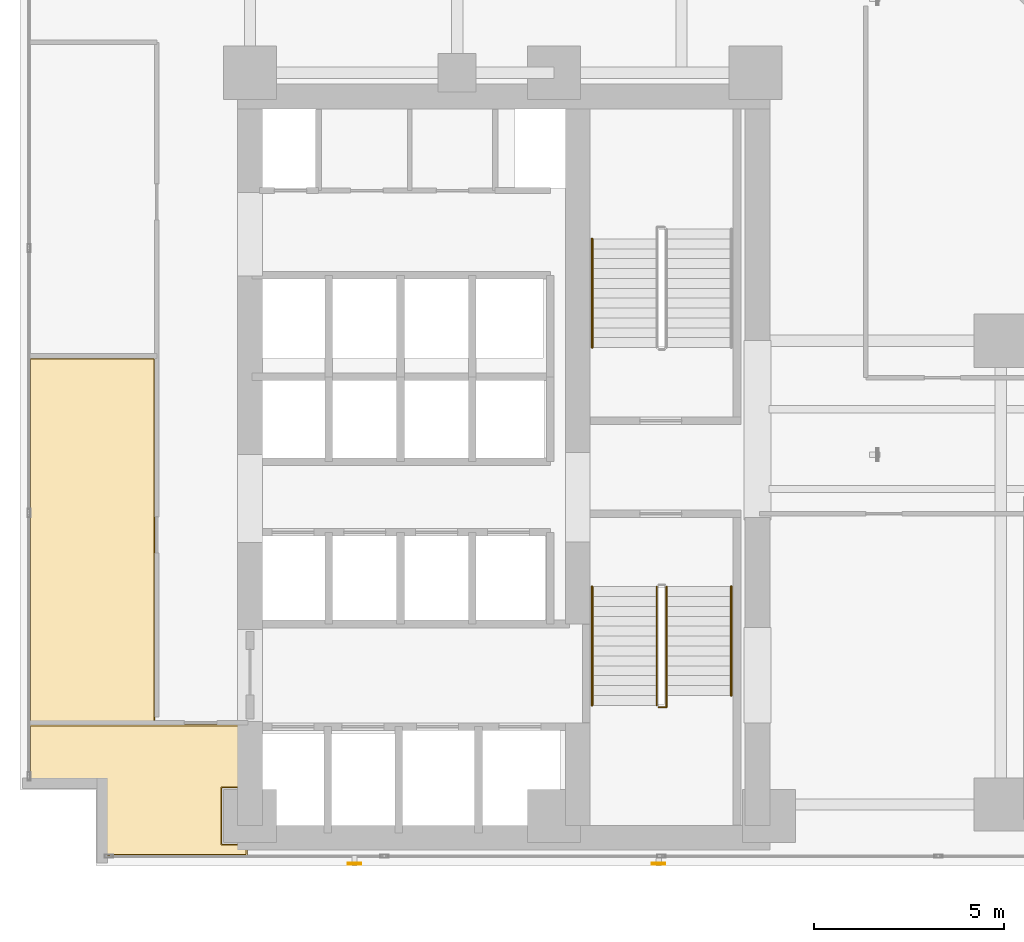
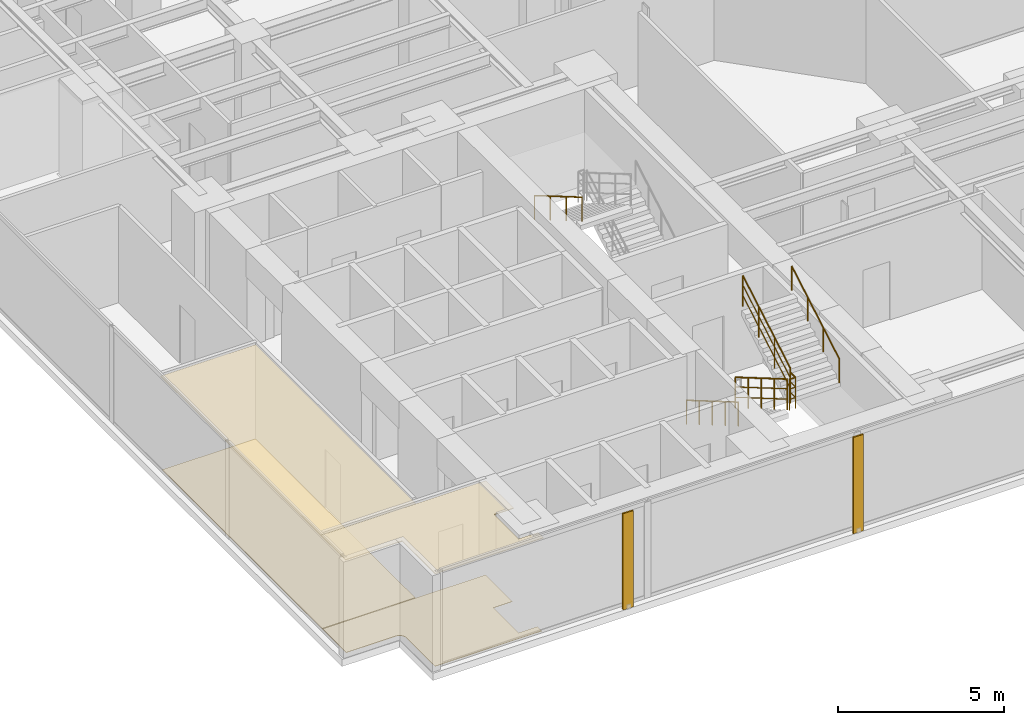
# One storey, part 24 of 28: 6 railings, 4 coverings, 2 shading devices.
"""IFC4 building model written with IfcOpenShell, lengths in metres."""

import ifcopenshell
import ifcopenshell.guid

model = None  # the IFC model being written
_history = None  # IfcOwnerHistory: only IFC2X3 demands one
_inside = {}  # id of a spatial element -> (the spatial element, [elements in it])
_under = {}  # id of a project, library or spatial element -> (it, [spatial elements below it])
_declared = {}  # id of a project -> (the project, [libraries it declares])
_typed = {}  # id of a type object -> (the type object, [elements of that type])
_made_of = {}  # id of a material, layer set ... -> (it, [elements and type objects made of it])


def new_model(schema):
    """Start an empty IFC model of exactly this schema.

    Asked for "IFC4X3", IfcOpenShell would pick the latest addendum, in which some entities
    have other attributes; the version numbers below select the first issue.
    IFC2X3 requires an IfcOwnerHistory on every rooted entity: one is made here for all.
    """
    global model, _history
    if schema == "IFC4X3":
        model = ifcopenshell.file(schema_version=(4, 3, 0, 0))
    else:
        model = ifcopenshell.file(schema=schema)
    _inside.clear()
    _under.clear()
    _declared.clear()
    _typed.clear()
    _made_of.clear()
    _history = None
    if model.schema == "IFC2X3":
        org = make("IfcOrganization", Name="unknown")
        user = make(
            "IfcPersonAndOrganization",
            ThePerson=make("IfcPerson", FamilyName="unknown"),
            TheOrganization=org,
        )
        app = make(
            "IfcApplication",
            ApplicationDeveloper=org,
            Version="unknown",
            ApplicationFullName="unknown",
            ApplicationIdentifier="unknown",
        )
        _history = make(
            "IfcOwnerHistory",
            OwningUser=user,
            OwningApplication=app,
            ChangeAction="ADDED",
            CreationDate=0,
        )
    return model


def make(cls, **values):
    """One entity of the class cls with the attributes given. An attribute that is None is left unset."""
    return model.create_entity(
        cls, **{name: value for name, value in values.items() if value is not None}
    )


def rooted(cls, **values):
    """An entity with a GlobalId (a new one), such as an element, a storey or a relation."""
    return make(cls, GlobalId=ifcopenshell.guid.new(), OwnerHistory=_history, **values)


def si_unit(unit_type, name, prefix=None):
    """IfcSIUnit, for example si_unit("LENGTHUNIT", "METRE", prefix="MILLI")."""
    return make("IfcSIUnit", UnitType=unit_type, Prefix=prefix, Name=name)


def assignment(units):
    """IfcUnitAssignment: the units of a project."""
    return None if units is None else make("IfcUnitAssignment", Units=units)


def point(xyz):
    """IfcCartesianPoint."""
    return None if xyz is None else make("IfcCartesianPoint", Coordinates=xyz)


def direction(xyz):
    """IfcDirection."""
    return None if xyz is None else make("IfcDirection", DirectionRatios=xyz)


def frame(location, z_axis=None, x_axis=None):
    """IfcAxis2Placement3D, a coordinate frame: its origin and axes. An axis left out is left unset."""
    return make(
        "IfcAxis2Placement3D",
        Location=point(location),
        Axis=direction(z_axis),
        RefDirection=direction(x_axis),
    )


def frame_2d(location, x_axis=None):
    """IfcAxis2Placement2D, a coordinate frame in the plane: its origin and x axis."""
    return make(
        "IfcAxis2Placement2D", Location=point(location), RefDirection=direction(x_axis)
    )


def origin():
    """The frame at (0, 0, 0) with its axes left unset."""
    return frame((0.0, 0.0, 0.0))


def origin_2d():
    """The frame at (0, 0) in the plane with its x axis left unset."""
    return frame_2d((0.0, 0.0))


def place(relative_to, where):
    """IfcLocalPlacement: puts the frame where relative to a parent placement (None: the world)."""
    return make(
        "IfcLocalPlacement", PlacementRelTo=relative_to, RelativePlacement=where
    )


def context(
    kind, dimensions, precision=None, world=None, true_north=None, identifier=None
):
    """IfcGeometricRepresentationContext, for example the 3D "Model" context."""
    return make(
        "IfcGeometricRepresentationContext",
        ContextIdentifier=identifier,
        ContextType=kind,
        CoordinateSpaceDimension=dimensions,
        Precision=precision,
        WorldCoordinateSystem=world,
        TrueNorth=true_north,
    )


def subcontext(parent, identifier, kind, view, scale=None):
    """IfcGeometricRepresentationSubContext, for example "Body" below "Model"."""
    return make(
        "IfcGeometricRepresentationSubContext",
        ContextIdentifier=identifier,
        ContextType=kind,
        ParentContext=parent,
        TargetScale=scale,
        TargetView=view,
    )


def project(units=None, contexts=None):
    """IfcProject with its units and contexts."""
    return rooted(
        "IfcProject",
        Name="project",
        RepresentationContexts=contexts,
        UnitsInContext=assignment(units),
    )


def spatial(cls, under=None, at=None, **own):
    """A site, building, storey or space (cls), placed at a placement, below another one or the project."""
    s = rooted(cls, ObjectPlacement=at, **own)
    if under is not None:
        _under.setdefault(under.id(), (under, []))[1].append(s)
    return s


def polyline(points):
    """IfcPolyline through the points."""
    return make("IfcPolyline", Points=[point(p) for p in points])


def profile(cls, at=None, kind="AREA", **sizes):
    """A parametric profile (cls). Its sizes go by their IFC names, for example OverallWidth=200.0."""
    return make(cls, ProfileType=kind, Position=at, **sizes)


def hollow_rectangle(**sizes):
    """IfcRectangleHollowProfileDef."""
    return profile("IfcRectangleHollowProfileDef", **sizes)


def circle(**sizes):
    """IfcCircleProfileDef."""
    return profile("IfcCircleProfileDef", **sizes)


def outline(outer, holes=None, kind="AREA"):
    """IfcArbitraryClosedProfileDef: a profile drawn as a closed curve; with holes, ...WithVoids."""
    if holes is None:
        return make("IfcArbitraryClosedProfileDef", ProfileType=kind, OuterCurve=outer)
    return make(
        "IfcArbitraryProfileDefWithVoids",
        ProfileType=kind,
        OuterCurve=outer,
        InnerCurves=holes,
    )


def extrude(swept, where, along, depth):
    """IfcExtrudedAreaSolid: the profile swept, set in the frame where, extruded along a direction by depth."""
    return make(
        "IfcExtrudedAreaSolid",
        SweptArea=swept,
        Position=where,
        ExtrudedDirection=direction(along),
        Depth=depth,
    )


def shape(context_of_items, identifier, shape_type, items):
    """IfcShapeRepresentation: the items that make up one representation, for example the "Body"."""
    return make(
        "IfcShapeRepresentation",
        ContextOfItems=context_of_items,
        RepresentationIdentifier=identifier,
        RepresentationType=shape_type,
        Items=items,
    )


def material(Name=None, Category=None):
    """IfcMaterial."""
    return make("IfcMaterial", Name=Name, Category=Category)


def layer(
    of_material, thickness, ventilated=None, Name=None, Category=None, Priority=None
):
    """IfcMaterialLayer: one layer of a wall or slab, of a material (None: an air gap)."""
    return make(
        "IfcMaterialLayer",
        Material=of_material,
        LayerThickness=thickness,
        IsVentilated=ventilated,
        Name=Name,
        Category=Category,
        Priority=Priority,
    )


def layer_set(layers, Name=None):
    """IfcMaterialLayerSet."""
    return make("IfcMaterialLayerSet", MaterialLayers=layers, LayerSetName=Name)


def material_profile(
    of_material, cross_section, Name=None, Category=None, Priority=None
):
    """IfcMaterialProfile: a cross section and its material."""
    return make(
        "IfcMaterialProfile",
        Name=Name,
        Material=of_material,
        Profile=cross_section,
        Priority=Priority,
        Category=Category,
    )


def profile_set(profiles, Name=None, composite=None):
    """IfcMaterialProfileSet."""
    return make(
        "IfcMaterialProfileSet",
        Name=Name,
        MaterialProfiles=profiles,
        CompositeProfile=composite,
    )


def made_of(thing, what):
    """Note that an element or type object is made of a material, layer set ...; save() writes the relation."""
    if what is not None:
        _made_of.setdefault(what.id(), (what, []))[1].append(thing)
    return thing


def type_object(cls, material=None, **own):
    """A type object (cls), such as IfcWallType, which elements share."""
    return made_of(rooted(cls, **own), material)


def element(
    cls,
    number,
    at=None,
    inside=None,
    cuts=None,
    type_object=None,
    material=None,
    context=None,
    identifier="Body",
    shape_type=None,
    held_by="IfcProductDefinitionShape",
    body=None,
    shapes=None,
    **own,
):
    """One element of the class cls, such as IfcWall. Its Tag is "e" and its number.

    at: its placement. inside: the storey or other place that contains it. cuts: it is an
    opening in that element (IfcRelVoidsElement). A single representation is given by context,
    identifier, shape_type and body (its items); several are given by shapes. held_by: the class
    of the entity that holds the representations. save() writes the other relations.
    """
    e = rooted(cls, Tag="e%d" % number, ObjectPlacement=at, **own)
    if body is not None:
        shapes = [shape(context, identifier, shape_type, body)]
    if shapes is not None:
        e.Representation = make(held_by, Representations=shapes)
    if inside is not None:
        _inside.setdefault(inside.id(), (inside, []))[1].append(e)
    if cuts is not None:
        rooted(
            "IfcRelVoidsElement", RelatingBuildingElement=cuts, RelatedOpeningElement=e
        )
    if type_object is not None:
        _typed.setdefault(type_object.id(), (type_object, []))[1].append(e)
    return made_of(e, material)


def aggregate(whole, parts):
    """IfcRelAggregates: a whole, such as a stair, and the parts it consists of."""
    return rooted("IfcRelAggregates", RelatingObject=whole, RelatedObjects=parts)


def save(model, path):
    """Write the relations noted so far, then the file.

    IfcRelAggregates (storeys below a building ...), IfcRelContainedInSpatialStructure (elements
    in a storey), IfcRelDefinesByType, IfcRelAssociatesMaterial and IfcRelDeclares: one each for
    every whole, place, type object, material and project.
    """
    for whole, parts in _under.values():
        aggregate(whole, parts)
    for where, things in _inside.values():
        rooted(
            "IfcRelContainedInSpatialStructure",
            RelatedElements=things,
            RelatingStructure=where,
        )
    for kind, things in _typed.values():
        rooted("IfcRelDefinesByType", RelatedObjects=things, RelatingType=kind)
    for what, things in _made_of.values():
        rooted("IfcRelAssociatesMaterial", RelatedObjects=things, RelatingMaterial=what)
    for by, libraries in _declared.values():
        rooted("IfcRelDeclares", RelatingContext=by, RelatedDefinitions=libraries)
    model.write(path)


model = new_model("IFC4")

# Units and contexts
model_context = context("Model", 3, precision=1e-05, world=origin(), true_north=direction((0.0, 1.0)))
body_context = subcontext(model_context, "Body", "Model", "MODEL_VIEW")
ifc_project = project(units=[si_unit("LENGTHUNIT", "METRE"), si_unit("AREAUNIT", "SQUARE_METRE"), si_unit("VOLUMEUNIT", "CUBIC_METRE"), si_unit("PLANEANGLEUNIT", "RADIAN"), si_unit("MASSUNIT", "GRAM", prefix="KILO")], contexts=[model_context])

# Site, building, storey
site_placement = place(None, origin())
site = spatial("IfcSite", under=ifc_project, at=site_placement, CompositionType="ELEMENT")
building_placement = place(site_placement, origin())
building = spatial("IfcBuilding", under=site, at=building_placement, Name="Kolvaren Waterfront Exchange", CompositionType="ELEMENT")
storey_placement = place(building_placement, frame((0.0, 0.0, 103.10009765625)))
storey = spatial("IfcBuildingStorey", under=building, at=storey_placement, Name="L26", CompositionType="ELEMENT", Elevation=103.10009765625)

# Coverings
ifc_material_1 = material(Name="Mineral fibre acoustic ceiling tile")
ifc_layer_1 = layer(ifc_material_1, 0.02490234375, Name="Mineral fibre acoustic ceiling tile")
ifc_layer_set_1 = layer_set([ifc_layer_1], Name="Mineral fibre acoustic ceiling tile")
covering_type_1 = type_object("IfcCoveringType", Name="ARC-CEIL-ACOUSTIC-25", PredefinedType="CEILING", material=ifc_layer_set_1)
covering_1_placement = place(storey_placement, frame((0.0, 0.0, 3.4248046875)))
element("IfcCovering", 1, at=covering_1_placement, inside=storey, type_object=covering_type_1, Name="L26 acoustic suspended ceiling 2", PredefinedType="CEILING", context=body_context, shape_type="SweptSolid", body=[
    extrude(outline(polyline([(7.385009765625, 4.159912109375), (6.7099609375, 4.159912109375), (6.7099609375, 5.639892578125), (7.385009765625, 5.639892578125), (7.385009765625, 7.304931640625), (1.64501953125, 7.304931640625), (1.64501953125, 5.820068359375), (3.6201171875, 5.820068359375), (3.6201171875, 3.844970703125), (7.385009765625, 3.844970703125), (7.385009765625, 4.159912109375)])), origin(), (0.0, 0.0, 1.0), 0.025146484375),
])
covering_2_placement = place(storey_placement, frame((0.0, 0.0, 3.4248046875)))
element("IfcCovering", 2, at=covering_2_placement, inside=storey, type_object=covering_type_1, Name="L26 acoustic suspended ceiling 3", PredefinedType="CEILING", context=body_context, shape_type="SweptSolid", body=[
    extrude(outline(polyline([(1.64501953125, 7.2548828125), (4.955078125, 7.2548828125), (4.955078125, 16.955078125), (1.64501953125, 16.955078125), (1.64501953125, 7.2548828125)])), origin(), (0.0, 0.0, 1.0), 0.025146484375),
])

# Shading devices
ifc_material_2 = material(Name="Anodised bronze aluminium 6063-T6", Category="aluminium")
ifc_material_profile = material_profile(ifc_material_2, hollow_rectangle(XDim=0.06005859375, YDim=0.35009765625, WallThickness=0.0048828125, at=origin_2d()), Name="BRZ-FIN-350x60x5")
ifc_profile_set = profile_set([ifc_material_profile], Name="Anodised bronze aluminium 6063-T6")
shading_device_type = type_object("IfcShadingDeviceType", Name="ARC-FIN-350", PredefinedType="USERDEFINED", material=ifc_profile_set)
for number, where, z_axis, x_axis, name in (
    (3, (10.199951171875, 3.639892578125, 0.0), (0.0, 0.0, 1.0), (0.0, -1.0, 0.0), "L26 anodised bronze solar shading fin FIN-L26-S1"),
    (4, (18.199951171875, 3.639892578125, 0.0), (0.0, 0.0, 1.0), (0.0, -1.0, 0.0), "L26 anodised bronze solar shading fin FIN-L26-S2"),
):
    element("IfcShadingDevice", number, at=place(storey_placement, frame(where, z_axis=z_axis, x_axis=x_axis)), inside=storey, type_object=shading_device_type, Name=name, ObjectType="SOLAR FIN", PredefinedType="USERDEFINED", context=body_context, shape_type="SweptSolid", body=[
        extrude(hollow_rectangle(XDim=0.06005859375, YDim=0.35009765625, WallThickness=0.0048828125, at=origin_2d()), origin(), (0.0, 0.0, 1.0), 3.539794921875),
    ])

# Coverings
ifc_material_3 = material(Name="Slip-resistant porcelain tile")
ifc_layer_2 = layer(ifc_material_3, 0.014892578125, Name="Slip-resistant porcelain tile")
ifc_layer_set_2 = layer_set([ifc_layer_2], Name="Slip-resistant porcelain tile")
covering_type_2 = type_object("IfcCoveringType", Name="ARC-FLR-PORC-15", PredefinedType="FLOORING", material=ifc_layer_set_2)
covering_3_placement = place(storey_placement, origin())
element("IfcCovering", 5, at=covering_3_placement, inside=storey, type_object=covering_type_2, Name="L26 floor finish 2", PredefinedType="FLOORING", context=body_context, shape_type="SweptSolid", body=[
    extrude(outline(polyline([(7.35009765625, 7.27001953125), (1.679931640625, 7.27001953125), (1.679931640625, 5.840087890625), (3.39990234375, 5.840087890625), (3.423583984375, 5.8388671875), (3.44677734375, 5.83544921875), (3.4697265625, 5.82958984375), (3.49169921875, 5.82177734375), (3.51318359375, 5.811767578125), (3.533203125, 5.799560546875), (3.55224609375, 5.785400390625), (3.569580078125, 5.769775390625), (3.58544921875, 5.752197265625), (3.599609375, 5.7333984375), (3.61181640625, 5.713134765625), (3.62158203125, 5.69189453125), (3.629638671875, 5.669677734375), (3.635498046875, 5.646728515625), (3.638916015625, 5.62353515625), (3.639892578125, 5.60009765625), (3.639892578125, 3.8798828125), (7.35009765625, 3.8798828125), (7.35009765625, 4.139892578125), (6.68994140625, 4.139892578125), (6.68994140625, 5.659912109375), (7.35009765625, 5.659912109375), (7.35009765625, 7.27001953125)])), origin(), (0.0, 0.0, 1.0), 0.014892578125),
])
covering_4_placement = place(storey_placement, origin())
element("IfcCovering", 6, at=covering_4_placement, inside=storey, type_object=covering_type_2, Name="L26 floor finish 3", PredefinedType="FLOORING", context=body_context, shape_type="SweptSolid", body=[
    extrude(outline(polyline([(4.919921875, 16.919921875), (1.679931640625, 16.919921875), (1.679931640625, 7.2900390625), (4.919921875, 7.2900390625), (4.919921875, 16.919921875)])), origin(), (0.0, 0.0, 1.0), 0.014892578125),
])

# Railings
ifc_material_4 = material(Name="Stainless steel 316", Category="steel")
railing_type_1 = type_object("IfcRailingType", Name="ARC-GUARD-STAIR", PredefinedType="GUARDRAIL", material=ifc_material_4)
railing_1_placement = place(storey_placement, frame((18.14990234375, 10.929931640625, 0.15185546875)))
element("IfcRailing", 7, at=railing_1_placement, inside=storey, type_object=railing_type_1, Name="L26 ST1 stair guard 1", PredefinedType="GUARDRAIL", context=body_context, shape_type="SweptSolid", body=[
    extrude(circle(Radius=0.02392578125, at=origin_2d()), frame((0.0, 0.0, 1.1259765625), z_axis=(0.0, -0.86329090724, 0.504706656858), x_axis=(1.0, 0.0, 0.0)), (0.0, 0.0, 1.0), 3.614013671875),
    extrude(circle(Radius=0.01611328125, at=origin_2d()), frame((0.0, 0.0, 0.390869140625), z_axis=(0.0, -0.86329090724, 0.504706656858), x_axis=(1.0, 0.0, 0.0)), (0.0, 0.0, 1.0), 3.614013671875),
    extrude(circle(Radius=0.01611328125, at=origin_2d()), frame((0.0, 0.0, 0.7705078125), z_axis=(0.0, -0.86329090724, 0.504706656858), x_axis=(1.0, 0.0, 0.0)), (0.0, 0.0, 1.0), 3.614013671875),
    extrude(circle(Radius=0.02099609375, at=origin_2d()), origin(), (0.0, 0.0, 1.0), 1.101806640625),
    extrude(circle(Radius=0.02099609375, at=origin_2d()), frame((0.0, -0.780029296875, 0.4560546875)), (0.0, 0.0, 1.0), 1.101806640625),
    extrude(circle(Radius=0.02099609375, at=origin_2d()), frame((0.0, -1.56005859375, 0.912109375)), (0.0, 0.0, 1.0), 1.101806640625),
    extrude(circle(Radius=0.02099609375, at=origin_2d()), frame((0.0, -2.33984375, 1.367919921875)), (0.0, 0.0, 1.0), 1.101806640625),
    extrude(circle(Radius=0.02099609375, at=origin_2d()), frame((0.0, -3.119873046875, 1.823974609375)), (0.0, 0.0, 1.0), 1.101806640625),
])
railing_2_placement = place(storey_placement, frame((18.199951171875, 7.760009765625, 1.975830078125)))
element("IfcRailing", 8, at=railing_2_placement, inside=storey, type_object=railing_type_1, Name="L26 ST1 stair guard 2", PredefinedType="GUARDRAIL", context=body_context, shape_type="SweptSolid", body=[
    extrude(circle(Radius=0.02392578125, at=origin_2d()), frame((0.0, 0.0, 1.1259765625), z_axis=(1.0, 0.0, 0.0), x_axis=(0.0, 1.0, 0.0)), (0.0, 0.0, 1.0), 0.2099609375),
    extrude(circle(Radius=0.01611328125, at=origin_2d()), frame((0.0, 0.0, 0.390869140625), z_axis=(1.0, 0.0, 0.0), x_axis=(0.0, 1.0, 0.0)), (0.0, 0.0, 1.0), 0.2099609375),
    extrude(circle(Radius=0.01611328125, at=origin_2d()), frame((0.0, 0.0, 0.7705078125), z_axis=(1.0, 0.0, 0.0), x_axis=(0.0, 1.0, 0.0)), (0.0, 0.0, 1.0), 0.2099609375),
    extrude(circle(Radius=0.02392578125, at=origin_2d()), frame((0.2099609375, 0.0, 1.1259765625), z_axis=(0.0, 1.0, 0.0), x_axis=(-1.0, 0.0, 0.0)), (0.0, 0.0, 1.0), 0.31005859375),
    extrude(circle(Radius=0.01611328125, at=origin_2d()), frame((0.2099609375, 0.0, 0.390869140625), z_axis=(0.0, 1.0, 0.0), x_axis=(-1.0, 0.0, 0.0)), (0.0, 0.0, 1.0), 0.31005859375),
    extrude(circle(Radius=0.01611328125, at=origin_2d()), frame((0.2099609375, 0.0, 0.7705078125), z_axis=(0.0, 1.0, 0.0), x_axis=(-1.0, 0.0, 0.0)), (0.0, 0.0, 1.0), 0.31005859375),
    extrude(circle(Radius=0.02099609375, at=origin_2d()), origin(), (0.0, 0.0, 1.0), 1.101806640625),
    extrude(circle(Radius=0.02099609375, at=origin_2d()), frame((0.2099609375, 0.0, 0.0)), (0.0, 0.0, 1.0), 1.101806640625),
    extrude(circle(Radius=0.02099609375, at=origin_2d()), frame((0.2099609375, 0.31005859375, 0.0)), (0.0, 0.0, 1.0), 1.101806640625),
])
railing_3_placement = place(storey_placement, frame((18.409912109375, 8.070068359375, 2.1279296875)))
element("IfcRailing", 9, at=railing_3_placement, inside=storey, type_object=railing_type_1, Name="L26 ST1 stair guard 3", PredefinedType="GUARDRAIL", context=body_context, shape_type="SweptSolid", body=[
    extrude(circle(Radius=0.02392578125, at=origin_2d()), frame((0.0, 0.0, 1.1259765625), z_axis=(0.0, 0.86330272217, 0.504686447108), x_axis=(-1.0, 0.0, 0.0)), (0.0, 0.0, 1.0), 3.312744140625),
    extrude(circle(Radius=0.01611328125, at=origin_2d()), frame((0.0, 0.0, 0.390869140625), z_axis=(0.0, 0.86330272217, 0.504686447108), x_axis=(-1.0, 0.0, 0.0)), (0.0, 0.0, 1.0), 3.312744140625),
    extrude(circle(Radius=0.01611328125, at=origin_2d()), frame((0.0, 0.0, 0.7705078125), z_axis=(0.0, 0.86330272217, 0.504686447108), x_axis=(-1.0, 0.0, 0.0)), (0.0, 0.0, 1.0), 3.312744140625),
    extrude(circle(Radius=0.02099609375, at=origin_2d()), origin(), (0.0, 0.0, 1.0), 1.101806640625),
    extrude(circle(Radius=0.02099609375, at=origin_2d()), frame((0.0, 0.953369140625, 0.557373046875)), (0.0, 0.0, 1.0), 1.101806640625),
    extrude(circle(Radius=0.02099609375, at=origin_2d()), frame((0.0, 1.906494140625, 1.114501953125)), (0.0, 0.0, 1.0), 1.101806640625),
    extrude(circle(Radius=0.02099609375, at=origin_2d()), frame((0.0, 2.85986328125, 1.671875)), (0.0, 0.0, 1.0), 1.101806640625),
])
railing_type_2 = type_object("IfcRailingType", Name="ARC-HANDRAIL-900", PredefinedType="HANDRAIL", material=ifc_material_4)
railing_4_placement = place(storey_placement, frame((16.449951171875, 10.929931640625, 0.15185546875)))
element("IfcRailing", 10, at=railing_4_placement, inside=storey, type_object=railing_type_2, Name="L26 ST1 stair handrail 1", PredefinedType="HANDRAIL", context=body_context, shape_type="SweptSolid", body=[
    extrude(circle(Radius=0.02392578125, at=origin_2d()), frame((0.0, 0.0, 0.8759765625), z_axis=(0.0, -0.86329090724, 0.504706656858), x_axis=(1.0, 0.0, 0.0)), (0.0, 0.0, 1.0), 3.614013671875),
    extrude(circle(Radius=0.02099609375, at=origin_2d()), origin(), (0.0, 0.0, 1.0), 0.851806640625),
    extrude(circle(Radius=0.02099609375, at=origin_2d()), frame((0.0, -0.780029296875, 0.4560546875)), (0.0, 0.0, 1.0), 0.851806640625),
    extrude(circle(Radius=0.02099609375, at=origin_2d()), frame((0.0, -1.56005859375, 0.912109375)), (0.0, 0.0, 1.0), 0.851806640625),
    extrude(circle(Radius=0.02099609375, at=origin_2d()), frame((0.0, -2.33984375, 1.367919921875)), (0.0, 0.0, 1.0), 0.851806640625),
    extrude(circle(Radius=0.02099609375, at=origin_2d()), frame((0.0, -3.119873046875, 1.823974609375)), (0.0, 0.0, 1.0), 0.851806640625),
])
railing_5_placement = place(storey_placement, frame((20.110107421875, 8.070068359375, 2.1279296875)))
element("IfcRailing", 11, at=railing_5_placement, inside=storey, type_object=railing_type_2, Name="L26 ST1 stair handrail 2", PredefinedType="HANDRAIL", context=body_context, shape_type="SweptSolid", body=[
    extrude(circle(Radius=0.02392578125, at=origin_2d()), frame((0.0, 0.0, 0.8759765625), z_axis=(0.0, 0.86330272217, 0.504686447108), x_axis=(-1.0, 0.0, 0.0)), (0.0, 0.0, 1.0), 3.312744140625),
    extrude(circle(Radius=0.02099609375, at=origin_2d()), origin(), (0.0, 0.0, 1.0), 0.851806640625),
    extrude(circle(Radius=0.02099609375, at=origin_2d()), frame((0.0, 0.953369140625, 0.557373046875)), (0.0, 0.0, 1.0), 0.851806640625),
    extrude(circle(Radius=0.02099609375, at=origin_2d()), frame((0.0, 1.906494140625, 1.114501953125)), (0.0, 0.0, 1.0), 0.851806640625),
    extrude(circle(Radius=0.02099609375, at=origin_2d()), frame((0.0, 2.85986328125, 1.671875)), (0.0, 0.0, 1.0), 0.851806640625),
])
railing_6_placement = place(storey_placement, frame((16.449951171875, 20.080078125, 2.1279296875)))
element("IfcRailing", 12, at=railing_6_placement, inside=storey, type_object=railing_type_2, Name="L26 ST2 stair handrail 2", PredefinedType="HANDRAIL", context=body_context, shape_type="SweptSolid", body=[
    extrude(circle(Radius=0.02392578125, at=origin_2d()), frame((0.0, 0.0, 0.8759765625), z_axis=(0.0, -0.863321491973, 0.504654338629), x_axis=(1.0, 0.0, 0.0)), (0.0, 0.0, 1.0), 3.31298828125),
    extrude(circle(Radius=0.02099609375, at=origin_2d()), origin(), (0.0, 0.0, 1.0), 0.851806640625),
    extrude(circle(Radius=0.02099609375, at=origin_2d()), frame((0.0, -0.953369140625, 0.557373046875)), (0.0, 0.0, 1.0), 0.851806640625),
    extrude(circle(Radius=0.02099609375, at=origin_2d()), frame((0.0, -1.90673828125, 1.114501953125)), (0.0, 0.0, 1.0), 0.851806640625),
    extrude(circle(Radius=0.02099609375, at=origin_2d()), frame((0.0, -2.860107421875, 1.671875)), (0.0, 0.0, 1.0), 0.851806640625),
])

save(model, "model.ifc")
